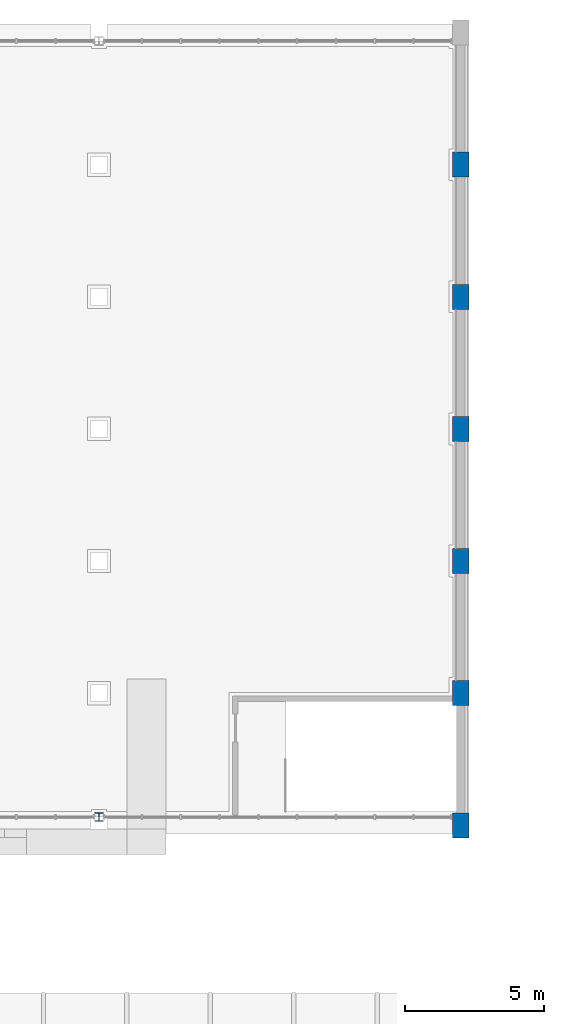
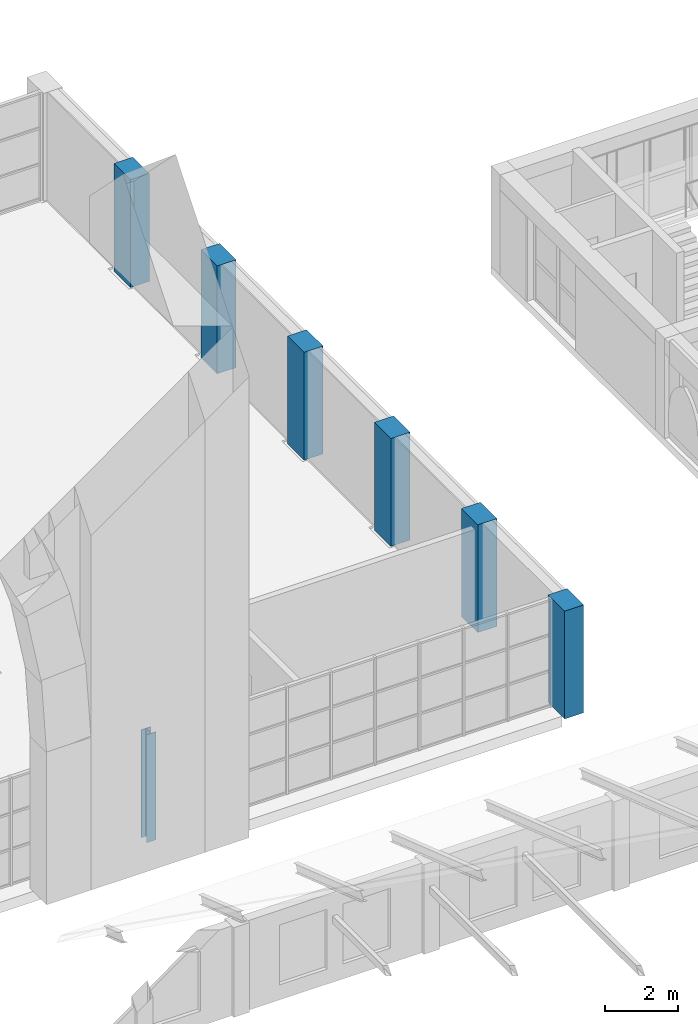
# One storey, part 3 of 82: 7 columns.
"""IFC4 building model written with IfcOpenShell, lengths in metres."""

from ifc_helpers import new_model, si_unit, direction, frame, origin, origin_2d, place, context, subcontext, project, spatial, rectangle, i_section, extrude, material, material_profile, profile_set, type_object, element, save


model = new_model("IFC4")

# Units and contexts
model_context = context("Model", 3, precision=1e-05, world=origin(), true_north=direction((0.0, 1.0)))
body_context = subcontext(model_context, "Body", "Model", "MODEL_VIEW")
ifc_project = project(units=[si_unit("LENGTHUNIT", "METRE"), si_unit("AREAUNIT", "SQUARE_METRE"), si_unit("VOLUMEUNIT", "CUBIC_METRE"), si_unit("PLANEANGLEUNIT", "RADIAN"), si_unit("MASSUNIT", "GRAM", prefix="KILO")], contexts=[model_context])

# Site, building, storey
site_placement = place(None, origin())
site = spatial("IfcSite", under=ifc_project, at=site_placement, CompositionType="ELEMENT")
building_placement = place(site_placement, origin())
building = spatial("IfcBuilding", under=site, at=building_placement, Name="Elbe Cascade School", CompositionType="ELEMENT")
storey_placement = place(building_placement, frame((0.0, 0.0, 4.5)))
storey = spatial("IfcBuildingStorey", under=building, at=storey_placement, Name="L01", CompositionType="ELEMENT", Elevation=4.5)

# Columns
ifc_material_1 = material(Name="Steel S355J2", Category="steel")
ifc_material_profile_1 = material_profile(ifc_material_1, i_section(OverallWidth=0.300048828125, OverallDepth=0.300048828125, WebThickness=0.010986328125, FlangeThickness=0.01904296875, FilletRadius=0.027099609375, at=origin_2d()), Name="HEB 300")
ifc_profile_set_1 = profile_set([ifc_material_profile_1], Name="Steel S355J2")
column_type_1 = type_object("IfcColumnType", Name="Hall gable post HEB 300", PredefinedType="COLUMN", material=ifc_profile_set_1)
column_placement = place(storey_placement, frame((47.0, 41.300048828125, 0.0), z_axis=(0.0, 0.0, 1.0), x_axis=(1.0, 0.0, 0.0)))
element("IfcColumn", 1, at=column_placement, inside=storey, type_object=column_type_1, Name="Gable post S47", PredefinedType="COLUMN", context=body_context, shape_type="SweptSolid", body=[
    extrude(i_section(OverallWidth=0.300048828125, OverallDepth=0.300048828125, WebThickness=0.010986328125, FlangeThickness=0.01904296875, FilletRadius=0.027099609375, at=origin_2d()), origin(), (0.0, 0.0, 1.0), 3.60009765625),
])
ifc_material_2 = material(Name="Concrete C30/37", Category="concrete")
ifc_material_profile_2 = material_profile(ifc_material_2, rectangle(XDim=0.60009765625, YDim=0.89990234375, at=origin_2d()), Name="RC 600x900")
ifc_profile_set_2 = profile_set([ifc_material_profile_2], Name="Concrete C30/37")
column_type_2 = type_object("IfcColumnType", Name="Hall pilaster RC 600x900", PredefinedType="COLUMN", material=ifc_profile_set_2)
for number, where, z_axis, x_axis, name in (
    (2, (60.0, 41.0, 0.0), (0.0, 0.0, 1.0), (1.0, 0.0, 0.0), "Pilaster E1"),
    (3, (60.0, 45.75, 0.0), (0.0, 0.0, 1.0), (1.0, 0.0, 0.0), "Pilaster E2"),
    (4, (60.0, 50.5, 0.0), (0.0, 0.0, 1.0), (1.0, 0.0, 0.0), "Pilaster E3"),
    (5, (60.0, 55.25, 0.0), (0.0, 0.0, 1.0), (1.0, 0.0, 0.0), "Pilaster E4"),
    (6, (60.0, 60.0, 0.0), (0.0, 0.0, 1.0), (1.0, 0.0, 0.0), "Pilaster E5"),
    (7, (60.0, 64.75, 0.0), (0.0, 0.0, 1.0), (1.0, 0.0, 0.0), "Pilaster E6"),
):
    element("IfcColumn", number, at=place(storey_placement, frame(where, z_axis=z_axis, x_axis=x_axis)), inside=storey, type_object=column_type_2, Name=name, PredefinedType="COLUMN", context=body_context, shape_type="SweptSolid", body=[
        extrude(rectangle(XDim=0.60009765625, YDim=0.89990234375, at=origin_2d()), origin(), (0.0, 0.0, 1.0), 3.60009765625),
    ])

save(model, "model.ifc")
